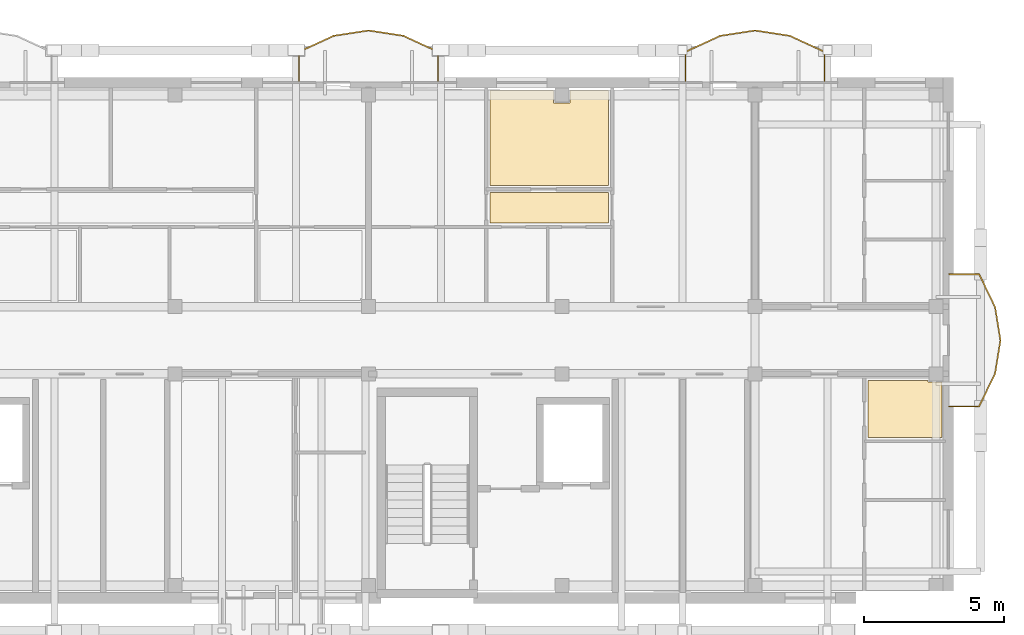
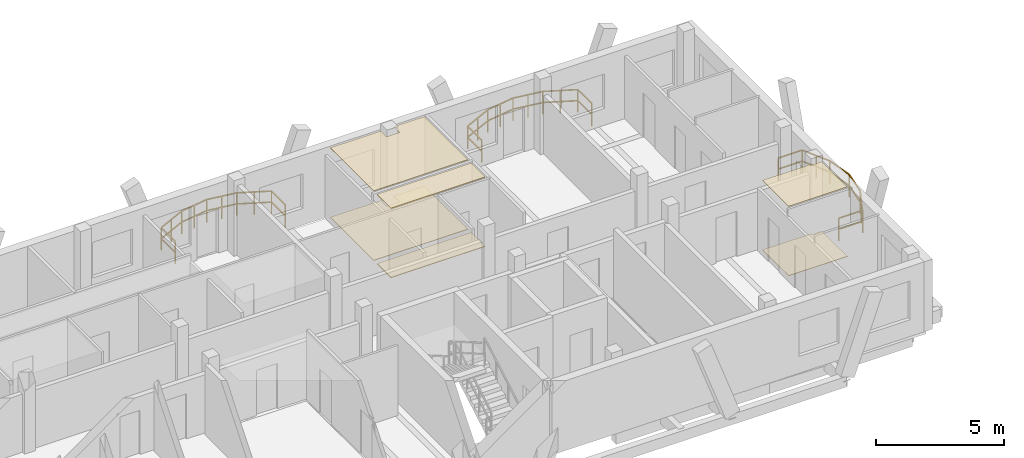
# One storey, part 189 of 189: 6 coverings, 3 railings.
"""IFC4 building model written with IfcOpenShell, lengths in metres."""

from ifc_helpers import new_model, si_unit, direction, frame, origin, origin_2d, place, context, subcontext, project, spatial, polyline, rectangle, outline, extrude, material, layer, layer_set, type_object, element, save


model = new_model("IFC4")

# Units and contexts
model_context = context("Model", 3, precision=1e-05, world=origin(), true_north=direction((0.0, 1.0)))
body_context = subcontext(model_context, "Body", "Model", "MODEL_VIEW")
ifc_project = project(units=[si_unit("LENGTHUNIT", "METRE"), si_unit("AREAUNIT", "SQUARE_METRE"), si_unit("VOLUMEUNIT", "CUBIC_METRE"), si_unit("PLANEANGLEUNIT", "RADIAN"), si_unit("MASSUNIT", "GRAM", prefix="KILO")], contexts=[model_context])

# Site, building, storey
site_placement = place(None, origin())
site = spatial("IfcSite", under=ifc_project, at=site_placement, CompositionType="ELEMENT")
building_placement = place(site_placement, origin())
building = spatial("IfcBuilding", under=site, at=building_placement, Name="Zavelmont Quarter", CompositionType="ELEMENT")
storey_placement = place(building_placement, frame((0.0, 0.0, 4.39990234375)))
storey = spatial("IfcBuildingStorey", under=building, at=storey_placement, Name="L01", CompositionType="ELEMENT", Elevation=4.39990234375)

# Coverings
ifc_material_1 = material(Name="Perforated acoustic gypsum board")
ifc_layer_1 = layer(ifc_material_1, 0.02490234375)
ifc_layer_set_1 = layer_set([ifc_layer_1], Name="Perforated acoustic gypsum board")
covering_type_1 = type_object("IfcCoveringType", Name="CV-CL01", PredefinedType="CEILING", material=ifc_layer_set_1)
covering_1_placement = place(storey_placement, frame((0.0, 0.0, 3.30517578125)))
element("IfcCovering", 1, at=covering_1_placement, inside=storey, type_object=covering_type_1, Name="L01 Master Bedroom acoustic ceiling", PredefinedType="CEILING", context=body_context, shape_type="SweptSolid", body=[
    extrude(outline(polyline([(151.6298828125, 115.719970703125), (153.909912109375, 115.719970703125), (153.909912109375, 115.27001953125), (154.489990234375, 115.27001953125), (154.489990234375, 115.719970703125), (155.8701171875, 115.719970703125), (155.8701171875, 112.330078125), (151.6298828125, 112.330078125), (151.6298828125, 115.719970703125)])), origin(), (0.0, 0.0, 1.0), 0.02490234375),
])
covering_2_placement = place(storey_placement, frame((0.0, 0.0, 3.30517578125)))
element("IfcCovering", 2, at=covering_2_placement, inside=storey, type_object=covering_type_1, Name="L01 Kitchen acoustic ceiling", PredefinedType="CEILING", context=body_context, shape_type="SweptSolid", body=[
    extrude(outline(polyline([(165.1298828125, 105.3701171875), (167.27001953125, 105.3701171875), (167.27001953125, 105.31005859375), (167.77001953125, 105.31005859375), (167.77001953125, 103.330078125), (165.1298828125, 103.330078125), (165.1298828125, 105.3701171875)])), origin(), (0.0, 0.0, 1.0), 0.02490234375),
])
ifc_material_2 = material(Name="Slatted European ash acoustic baffle ceiling")
ifc_layer_2 = layer(ifc_material_2, 0.0400390625)
ifc_layer_set_2 = layer_set([ifc_layer_2], Name="Slatted European ash acoustic baffle ceiling")
covering_type_2 = type_object("IfcCoveringType", Name="CV-CL02", PredefinedType="CEILING", material=ifc_layer_set_2)
covering_3_placement = place(storey_placement, frame((0.0, 0.0, 3.2900390625)))
element("IfcCovering", 3, at=covering_3_placement, inside=storey, type_object=covering_type_2, Name="L01 Apartment Hall acoustic ceiling", PredefinedType="CEILING", context=body_context, shape_type="SweptSolid", body=[
    extrude(outline(polyline([(151.6298828125, 112.070068359375), (155.8701171875, 112.070068359375), (155.8701171875, 110.97998046875), (151.6298828125, 110.97998046875), (151.6298828125, 112.070068359375)])), origin(), (0.0, 0.0, 1.0), 0.0400390625),
])
ifc_material_3 = material(Name="Engineered European oak parquet")
ifc_layer_3 = layer(ifc_material_3, 0.02197265625)
ifc_layer_set_3 = layer_set([ifc_layer_3], Name="Engineered European oak parquet")
covering_type_3 = type_object("IfcCoveringType", Name="CV-FL01", PredefinedType="FLOORING", material=ifc_layer_set_3)
covering_4_placement = place(storey_placement, origin())
element("IfcCovering", 4, at=covering_4_placement, inside=storey, type_object=covering_type_3, Name="L01 Master Bedroom floor finish", PredefinedType="FLOORING", context=body_context, shape_type="SweptSolid", body=[
    extrude(outline(polyline([(151.6298828125, 115.719970703125), (153.909912109375, 115.719970703125), (153.909912109375, 115.27001953125), (154.489990234375, 115.27001953125), (154.489990234375, 115.719970703125), (155.8701171875, 115.719970703125), (155.8701171875, 112.330078125), (151.6298828125, 112.330078125), (151.6298828125, 115.719970703125)])), origin(), (0.0, 0.0, 1.0), 0.022216796875),
])
covering_5_placement = place(storey_placement, origin())
element("IfcCovering", 5, at=covering_5_placement, inside=storey, type_object=covering_type_3, Name="L01 Kitchen floor finish", PredefinedType="FLOORING", context=body_context, shape_type="SweptSolid", body=[
    extrude(outline(polyline([(165.1298828125, 105.3701171875), (167.27001953125, 105.3701171875), (167.27001953125, 105.31005859375), (167.77001953125, 105.31005859375), (167.77001953125, 103.330078125), (165.1298828125, 103.330078125), (165.1298828125, 105.3701171875)])), origin(), (0.0, 0.0, 1.0), 0.022216796875),
])
ifc_material_4 = material(Name="Honed Belgian bluestone tile", Category="masonry")
ifc_layer_4 = layer(ifc_material_4, 0.030029296875)
ifc_layer_set_4 = layer_set([ifc_layer_4], Name="Honed Belgian bluestone tile")
covering_type_4 = type_object("IfcCoveringType", Name="CV-FL02", PredefinedType="FLOORING", material=ifc_layer_set_4)
covering_6_placement = place(storey_placement, origin())
element("IfcCovering", 6, at=covering_6_placement, inside=storey, type_object=covering_type_4, Name="L01 Apartment Hall floor finish", PredefinedType="FLOORING", context=body_context, shape_type="SweptSolid", body=[
    extrude(outline(polyline([(151.6298828125, 112.070068359375), (155.8701171875, 112.070068359375), (155.8701171875, 110.97998046875), (151.6298828125, 110.97998046875), (151.6298828125, 112.070068359375)])), origin(), (0.0, 0.0, 1.0), 0.030029296875),
])

# Railings
ifc_material_5 = material(Name="Powder-coated steel and tempered double safety glass", Category="steel")
railing_type = type_object("IfcRailingType", Name="RL-BAL1", PredefinedType="BALUSTRADE", material=ifc_material_5)
railing_1_placement = place(storey_placement, frame((149.781982421875, 116.02001953125, 0.0)))
element("IfcRailing", 7, at=railing_1_placement, inside=storey, type_object=railing_type, Name="L01 Block C curved balcony guard RL-BAL1", PredefinedType="BALUSTRADE", context=body_context, shape_type="SweptSolid", body=[
    extrude(rectangle(XDim=0.048095703125, YDim=0.048095703125, at=origin_2d()), frame((0.0, 0.0, 1.076171875), z_axis=(0.0, 1.0, 0.0), x_axis=(-1.0, 0.0, 0.0)), (0.0, 0.0, 1.0), 1.080078125),
    extrude(rectangle(XDim=0.048095703125, YDim=0.048095703125, at=origin_2d()), frame((0.0, 0.0, 0.550048828125), z_axis=(0.0, 1.0, 0.0), x_axis=(-1.0, 0.0, 0.0)), (0.0, 0.0, 1.0), 1.080078125),
    extrude(rectangle(XDim=0.048095703125, YDim=0.048095703125, at=origin_2d()), frame((0.0, 1.080078125, 1.076171875), z_axis=(-0.907891412378, 0.419205419014, 0.0), x_axis=(-0.419205419014, -0.907891412378, 0.0)), (0.0, 0.0, 1.0), 1.366943359375),
    extrude(rectangle(XDim=0.048095703125, YDim=0.048095703125, at=origin_2d()), frame((0.0, 1.080078125, 0.550048828125), z_axis=(-0.907891412378, 0.419205419014, 0.0), x_axis=(-0.419205419014, -0.907891412378, 0.0)), (0.0, 0.0, 1.0), 1.366943359375),
    extrude(rectangle(XDim=0.048095703125, YDim=0.048095703125, at=origin_2d()), frame((-1.240966796875, 1.653076171875, 1.076171875), z_axis=(-0.988371697651, 0.152057184254, 0.0), x_axis=(-0.152057184254, -0.988371697651, 0.0)), (0.0, 0.0, 1.0), 1.255615234375),
    extrude(rectangle(XDim=0.048095703125, YDim=0.048095703125, at=origin_2d()), frame((-1.240966796875, 1.653076171875, 0.550048828125), z_axis=(-0.988371697651, 0.152057184254, 0.0), x_axis=(-0.152057184254, -0.988371697651, 0.0)), (0.0, 0.0, 1.0), 1.255615234375),
    extrude(rectangle(XDim=0.048095703125, YDim=0.048095703125, at=origin_2d()), frame((-2.48193359375, 1.843994140625, 1.076171875), z_axis=(-0.988371697651, -0.152057184254, 0.0), x_axis=(0.152057184254, -0.988371697651, 0.0)), (0.0, 0.0, 1.0), 1.255615234375),
    extrude(rectangle(XDim=0.048095703125, YDim=0.048095703125, at=origin_2d()), frame((-2.48193359375, 1.843994140625, 0.550048828125), z_axis=(-0.988371697651, -0.152057184254, 0.0), x_axis=(0.152057184254, -0.988371697651, 0.0)), (0.0, 0.0, 1.0), 1.255615234375),
    extrude(rectangle(XDim=0.048095703125, YDim=0.048095703125, at=origin_2d()), frame((-3.722900390625, 1.653076171875, 1.076171875), z_axis=(-0.907922793028, -0.419137449889, 0.0), x_axis=(0.419137449889, -0.907922793028, 0.0)), (0.0, 0.0, 1.0), 1.3671875),
    extrude(rectangle(XDim=0.048095703125, YDim=0.048095703125, at=origin_2d()), frame((-3.722900390625, 1.653076171875, 0.550048828125), z_axis=(-0.907922793028, -0.419137449889, 0.0), x_axis=(0.419137449889, -0.907922793028, 0.0)), (0.0, 0.0, 1.0), 1.3671875),
    extrude(rectangle(XDim=0.048095703125, YDim=0.048095703125, at=origin_2d()), frame((-4.964111328125, 1.080078125, 1.076171875), z_axis=(0.0, -1.0, 0.0), x_axis=(1.0, 0.0, 0.0)), (0.0, 0.0, 1.0), 1.080078125),
    extrude(rectangle(XDim=0.048095703125, YDim=0.048095703125, at=origin_2d()), frame((-4.964111328125, 1.080078125, 0.550048828125), z_axis=(0.0, -1.0, 0.0), x_axis=(1.0, 0.0, 0.0)), (0.0, 0.0, 1.0), 1.080078125),
    extrude(rectangle(XDim=0.0419921875, YDim=0.0419921875, at=origin_2d()), origin(), (0.0, 0.0, 1.0), 1.052001953125),
    extrude(rectangle(XDim=0.0419921875, YDim=0.0419921875, at=origin_2d()), frame((0.0, 1.080078125, 0.0)), (0.0, 0.0, 1.0), 1.052001953125),
    extrude(rectangle(XDim=0.0419921875, YDim=0.0419921875, at=origin_2d()), frame((-0.62060546875, 1.36669921875, 0.0)), (0.0, 0.0, 1.0), 1.052001953125),
    extrude(rectangle(XDim=0.0419921875, YDim=0.0419921875, at=origin_2d()), frame((-1.240966796875, 1.653076171875, 0.0)), (0.0, 0.0, 1.0), 1.052001953125),
    extrude(rectangle(XDim=0.0419921875, YDim=0.0419921875, at=origin_2d()), frame((-1.861328125, 1.74853515625, 0.0)), (0.0, 0.0, 1.0), 1.052001953125),
    extrude(rectangle(XDim=0.0419921875, YDim=0.0419921875, at=origin_2d()), frame((-2.48193359375, 1.843994140625, 0.0)), (0.0, 0.0, 1.0), 1.052001953125),
    extrude(rectangle(XDim=0.0419921875, YDim=0.0419921875, at=origin_2d()), frame((-3.1025390625, 1.74853515625, 0.0)), (0.0, 0.0, 1.0), 1.052001953125),
    extrude(rectangle(XDim=0.0419921875, YDim=0.0419921875, at=origin_2d()), frame((-3.722900390625, 1.653076171875, 0.0)), (0.0, 0.0, 1.0), 1.052001953125),
    extrude(rectangle(XDim=0.0419921875, YDim=0.0419921875, at=origin_2d()), frame((-4.343505859375, 1.36669921875, 0.0)), (0.0, 0.0, 1.0), 1.052001953125),
    extrude(rectangle(XDim=0.0419921875, YDim=0.0419921875, at=origin_2d()), frame((-4.964111328125, 1.080078125, 0.0)), (0.0, 0.0, 1.0), 1.052001953125),
    extrude(rectangle(XDim=0.0419921875, YDim=0.0419921875, at=origin_2d()), frame((-4.964111328125, 0.0, 0.0)), (0.0, 0.0, 1.0), 1.052001953125),
])
railing_2_placement = place(storey_placement, frame((163.58203125, 116.02001953125, 0.0)))
element("IfcRailing", 8, at=railing_2_placement, inside=storey, type_object=railing_type, Name="L01 Block C curved balcony guard RL-BAL1", PredefinedType="BALUSTRADE", context=body_context, shape_type="SweptSolid", body=[
    extrude(rectangle(XDim=0.048095703125, YDim=0.048095703125, at=origin_2d()), frame((0.0, 0.0, 1.076171875), z_axis=(0.0, 1.0, 0.0), x_axis=(-1.0, 0.0, 0.0)), (0.0, 0.0, 1.0), 1.080078125),
    extrude(rectangle(XDim=0.048095703125, YDim=0.048095703125, at=origin_2d()), frame((0.0, 0.0, 0.550048828125), z_axis=(0.0, 1.0, 0.0), x_axis=(-1.0, 0.0, 0.0)), (0.0, 0.0, 1.0), 1.080078125),
    extrude(rectangle(XDim=0.048095703125, YDim=0.048095703125, at=origin_2d()), frame((0.0, 1.080078125, 1.076171875), z_axis=(-0.907891412378, 0.419205419014, 0.0), x_axis=(-0.419205419014, -0.907891412378, 0.0)), (0.0, 0.0, 1.0), 1.366943359375),
    extrude(rectangle(XDim=0.048095703125, YDim=0.048095703125, at=origin_2d()), frame((0.0, 1.080078125, 0.550048828125), z_axis=(-0.907891412378, 0.419205419014, 0.0), x_axis=(-0.419205419014, -0.907891412378, 0.0)), (0.0, 0.0, 1.0), 1.366943359375),
    extrude(rectangle(XDim=0.048095703125, YDim=0.048095703125, at=origin_2d()), frame((-1.240966796875, 1.653076171875, 1.076171875), z_axis=(-0.988371697651, 0.152057184254, 0.0), x_axis=(-0.152057184254, -0.988371697651, 0.0)), (0.0, 0.0, 1.0), 1.255615234375),
    extrude(rectangle(XDim=0.048095703125, YDim=0.048095703125, at=origin_2d()), frame((-1.240966796875, 1.653076171875, 0.550048828125), z_axis=(-0.988371697651, 0.152057184254, 0.0), x_axis=(-0.152057184254, -0.988371697651, 0.0)), (0.0, 0.0, 1.0), 1.255615234375),
    extrude(rectangle(XDim=0.048095703125, YDim=0.048095703125, at=origin_2d()), frame((-2.48193359375, 1.843994140625, 1.076171875), z_axis=(-0.988376192228, -0.152027966625, 0.0), x_axis=(0.152027966625, -0.988376192228, 0.0)), (0.0, 0.0, 1.0), 1.255859375),
    extrude(rectangle(XDim=0.048095703125, YDim=0.048095703125, at=origin_2d()), frame((-2.48193359375, 1.843994140625, 0.550048828125), z_axis=(-0.988376192228, -0.152027966625, 0.0), x_axis=(0.152027966625, -0.988376192228, 0.0)), (0.0, 0.0, 1.0), 1.255859375),
    extrude(rectangle(XDim=0.048095703125, YDim=0.048095703125, at=origin_2d()), frame((-3.72314453125, 1.653076171875, 1.076171875), z_axis=(-0.907891412378, -0.419205419014, 0.0), x_axis=(0.419205419014, -0.907891412378, 0.0)), (0.0, 0.0, 1.0), 1.366943359375),
    extrude(rectangle(XDim=0.048095703125, YDim=0.048095703125, at=origin_2d()), frame((-3.72314453125, 1.653076171875, 0.550048828125), z_axis=(-0.907891412378, -0.419205419014, 0.0), x_axis=(0.419205419014, -0.907891412378, 0.0)), (0.0, 0.0, 1.0), 1.366943359375),
    extrude(rectangle(XDim=0.048095703125, YDim=0.048095703125, at=origin_2d()), frame((-4.964111328125, 1.080078125, 1.076171875), z_axis=(0.0, -1.0, 0.0), x_axis=(1.0, 0.0, 0.0)), (0.0, 0.0, 1.0), 1.080078125),
    extrude(rectangle(XDim=0.048095703125, YDim=0.048095703125, at=origin_2d()), frame((-4.964111328125, 1.080078125, 0.550048828125), z_axis=(0.0, -1.0, 0.0), x_axis=(1.0, 0.0, 0.0)), (0.0, 0.0, 1.0), 1.080078125),
    extrude(rectangle(XDim=0.0419921875, YDim=0.0419921875, at=origin_2d()), origin(), (0.0, 0.0, 1.0), 1.052001953125),
    extrude(rectangle(XDim=0.0419921875, YDim=0.0419921875, at=origin_2d()), frame((0.0, 1.080078125, 0.0)), (0.0, 0.0, 1.0), 1.052001953125),
    extrude(rectangle(XDim=0.0419921875, YDim=0.0419921875, at=origin_2d()), frame((-0.62060546875, 1.36669921875, 0.0)), (0.0, 0.0, 1.0), 1.052001953125),
    extrude(rectangle(XDim=0.0419921875, YDim=0.0419921875, at=origin_2d()), frame((-1.240966796875, 1.653076171875, 0.0)), (0.0, 0.0, 1.0), 1.052001953125),
    extrude(rectangle(XDim=0.0419921875, YDim=0.0419921875, at=origin_2d()), frame((-1.861328125, 1.74853515625, 0.0)), (0.0, 0.0, 1.0), 1.052001953125),
    extrude(rectangle(XDim=0.0419921875, YDim=0.0419921875, at=origin_2d()), frame((-2.48193359375, 1.843994140625, 0.0)), (0.0, 0.0, 1.0), 1.052001953125),
    extrude(rectangle(XDim=0.0419921875, YDim=0.0419921875, at=origin_2d()), frame((-3.1025390625, 1.74853515625, 0.0)), (0.0, 0.0, 1.0), 1.052001953125),
    extrude(rectangle(XDim=0.0419921875, YDim=0.0419921875, at=origin_2d()), frame((-3.72314453125, 1.653076171875, 0.0)), (0.0, 0.0, 1.0), 1.052001953125),
    extrude(rectangle(XDim=0.0419921875, YDim=0.0419921875, at=origin_2d()), frame((-4.34375, 1.36669921875, 0.0)), (0.0, 0.0, 1.0), 1.052001953125),
    extrude(rectangle(XDim=0.0419921875, YDim=0.0419921875, at=origin_2d()), frame((-4.964111328125, 1.080078125, 0.0)), (0.0, 0.0, 1.0), 1.052001953125),
    extrude(rectangle(XDim=0.0419921875, YDim=0.0419921875, at=origin_2d()), frame((-4.964111328125, 0.0, 0.0)), (0.0, 0.0, 1.0), 1.052001953125),
])
railing_3_placement = place(storey_placement, frame((168.02001953125, 104.4365234375, 0.0)))
element("IfcRailing", 9, at=railing_3_placement, inside=storey, type_object=railing_type, Name="L01 Block C curved balcony guard RL-BAL1", PredefinedType="BALUSTRADE", context=body_context, shape_type="SweptSolid", body=[
    extrude(rectangle(XDim=0.048095703125, YDim=0.048095703125, at=origin_2d()), frame((0.0, 0.0, 1.076171875), z_axis=(1.0, 0.0, 0.0), x_axis=(0.0, 1.0, 0.0)), (0.0, 0.0, 1.0), 1.080078125),
    extrude(rectangle(XDim=0.048095703125, YDim=0.048095703125, at=origin_2d()), frame((0.0, 0.0, 0.550048828125), z_axis=(1.0, 0.0, 0.0), x_axis=(0.0, 1.0, 0.0)), (0.0, 0.0, 1.0), 1.080078125),
    extrude(rectangle(XDim=0.048095703125, YDim=0.048095703125, at=origin_2d()), frame((1.080078125, 0.0, 1.076171875), z_axis=(0.436250703761, 0.899825162722, 0.0), x_axis=(-0.899825162722, 0.436250703761, 0.0)), (0.0, 0.0, 1.0), 1.3134765625),
    extrude(rectangle(XDim=0.048095703125, YDim=0.048095703125, at=origin_2d()), frame((1.080078125, 0.0, 0.550048828125), z_axis=(0.436250703761, 0.899825162722, 0.0), x_axis=(-0.899825162722, 0.436250703761, 0.0)), (0.0, 0.0, 1.0), 1.3134765625),
    extrude(rectangle(XDim=0.048095703125, YDim=0.048095703125, at=origin_2d()), frame((1.653076171875, 1.181884765625, 1.076171875), z_axis=(0.159501767914, 0.987197642842, 0.0), x_axis=(-0.987197642842, 0.159501767914, 0.0)), (0.0, 0.0, 1.0), 1.197021484375),
    extrude(rectangle(XDim=0.048095703125, YDim=0.048095703125, at=origin_2d()), frame((1.653076171875, 1.181884765625, 0.550048828125), z_axis=(0.159501767914, 0.987197642842, 0.0), x_axis=(-0.987197642842, 0.159501767914, 0.0)), (0.0, 0.0, 1.0), 1.197021484375),
    extrude(rectangle(XDim=0.048095703125, YDim=0.048095703125, at=origin_2d()), frame((1.843994140625, 2.363525390625, 1.076171875), z_axis=(-0.159501767914, 0.987197642842, 0.0), x_axis=(-0.987197642842, -0.159501767914, 0.0)), (0.0, 0.0, 1.0), 1.197021484375),
    extrude(rectangle(XDim=0.048095703125, YDim=0.048095703125, at=origin_2d()), frame((1.843994140625, 2.363525390625, 0.550048828125), z_axis=(-0.159501767914, 0.987197642842, 0.0), x_axis=(-0.987197642842, -0.159501767914, 0.0)), (0.0, 0.0, 1.0), 1.197021484375),
    extrude(rectangle(XDim=0.048095703125, YDim=0.048095703125, at=origin_2d()), frame((1.653076171875, 3.545166015625, 1.076171875), z_axis=(-0.436250703761, 0.899825162722, 0.0), x_axis=(-0.899825162722, -0.436250703761, 0.0)), (0.0, 0.0, 1.0), 1.3134765625),
    extrude(rectangle(XDim=0.048095703125, YDim=0.048095703125, at=origin_2d()), frame((1.653076171875, 3.545166015625, 0.550048828125), z_axis=(-0.436250703761, 0.899825162722, 0.0), x_axis=(-0.899825162722, -0.436250703761, 0.0)), (0.0, 0.0, 1.0), 1.3134765625),
    extrude(rectangle(XDim=0.048095703125, YDim=0.048095703125, at=origin_2d()), frame((1.080078125, 4.72705078125, 1.076171875), z_axis=(-1.0, 0.0, 0.0), x_axis=(0.0, -1.0, 0.0)), (0.0, 0.0, 1.0), 1.080078125),
    extrude(rectangle(XDim=0.048095703125, YDim=0.048095703125, at=origin_2d()), frame((1.080078125, 4.72705078125, 0.550048828125), z_axis=(-1.0, 0.0, 0.0), x_axis=(0.0, -1.0, 0.0)), (0.0, 0.0, 1.0), 1.080078125),
    extrude(rectangle(XDim=0.0419921875, YDim=0.0419921875, at=origin_2d()), origin(), (0.0, 0.0, 1.0), 1.052001953125),
    extrude(rectangle(XDim=0.0419921875, YDim=0.0419921875, at=origin_2d()), frame((1.080078125, 0.0, 0.0)), (0.0, 0.0, 1.0), 1.052001953125),
    extrude(rectangle(XDim=0.0419921875, YDim=0.0419921875, at=origin_2d()), frame((1.36669921875, 0.5908203125, 0.0)), (0.0, 0.0, 1.0), 1.052001953125),
    extrude(rectangle(XDim=0.0419921875, YDim=0.0419921875, at=origin_2d()), frame((1.653076171875, 1.181884765625, 0.0)), (0.0, 0.0, 1.0), 1.052001953125),
    extrude(rectangle(XDim=0.0419921875, YDim=0.0419921875, at=origin_2d()), frame((1.843994140625, 2.363525390625, 0.0)), (0.0, 0.0, 1.0), 1.052001953125),
    extrude(rectangle(XDim=0.0419921875, YDim=0.0419921875, at=origin_2d()), frame((1.653076171875, 3.545166015625, 0.0)), (0.0, 0.0, 1.0), 1.052001953125),
    extrude(rectangle(XDim=0.0419921875, YDim=0.0419921875, at=origin_2d()), frame((1.36669921875, 4.13623046875, 0.0)), (0.0, 0.0, 1.0), 1.052001953125),
    extrude(rectangle(XDim=0.0419921875, YDim=0.0419921875, at=origin_2d()), frame((1.080078125, 4.72705078125, 0.0)), (0.0, 0.0, 1.0), 1.052001953125),
    extrude(rectangle(XDim=0.0419921875, YDim=0.0419921875, at=origin_2d()), frame((0.0, 4.72705078125, 0.0)), (0.0, 0.0, 1.0), 1.052001953125),
])

save(model, "model.ifc")
